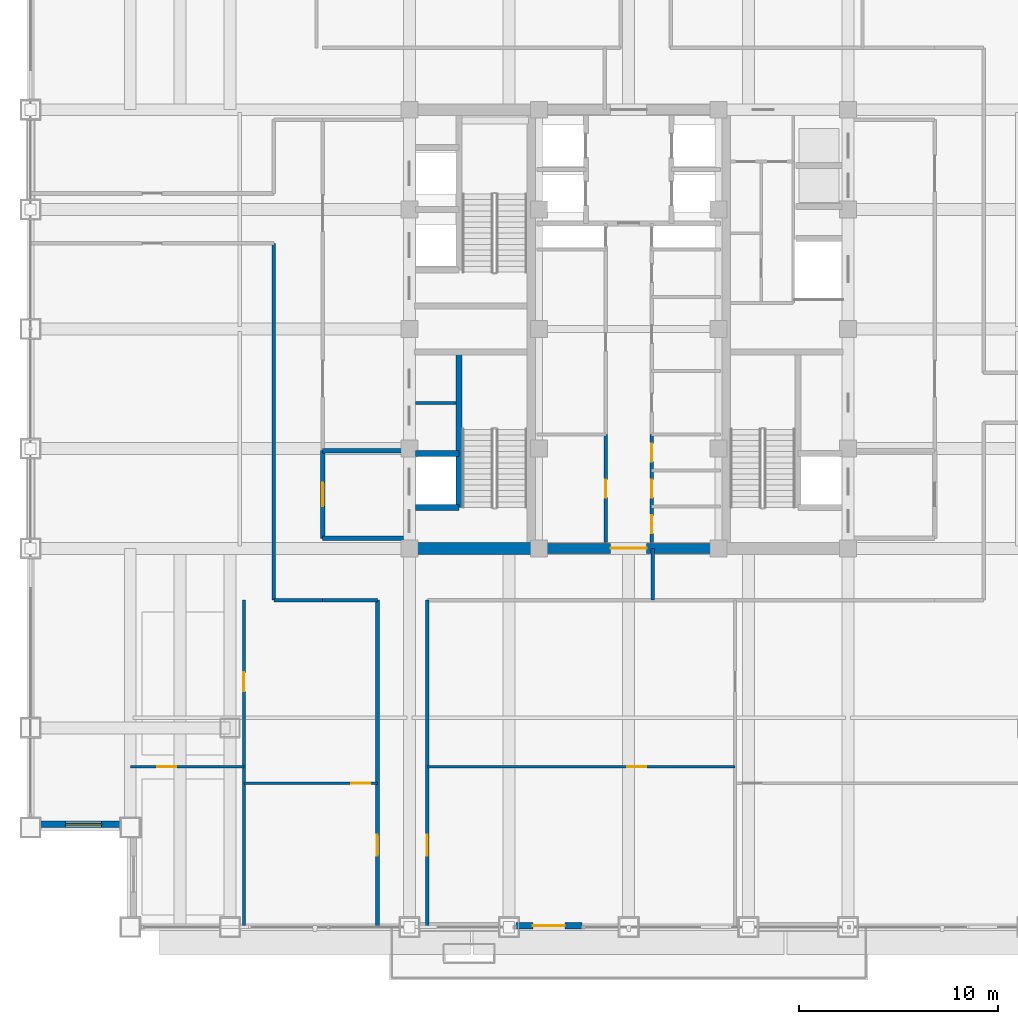
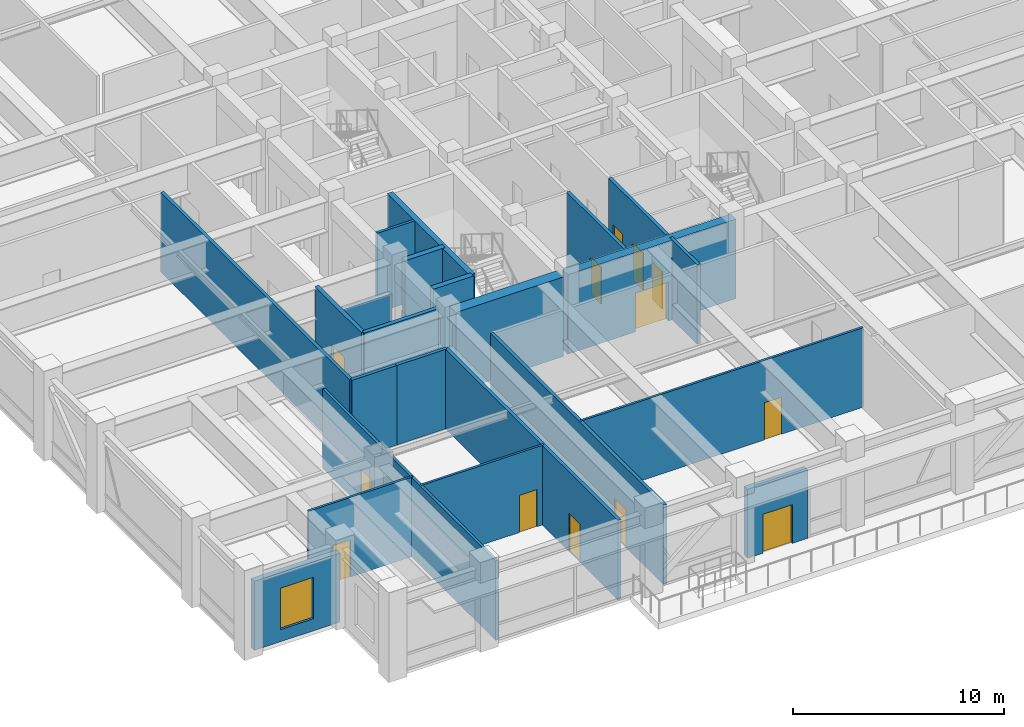
# One storey, part 23 of 33: 23 walls, 13 doors, 1 window, 14 openings.
"""IFC4 building model written with IfcOpenShell, lengths in metres."""

from ifc_helpers import new_model, si_unit, direction, frame, frame_2d, origin, place, context, subcontext, project, spatial, rectangle, extrude, source, transform, mapped, material, layer, layer_set, type_object, element, fill, save


model = new_model("IFC4")

# Units and contexts
model_context = context("Model", 3, precision=1e-05, world=origin(), true_north=direction((0.0, 1.0)))
body_context = subcontext(model_context, "Body", "Model", "MODEL_VIEW")
ifc_project = project(units=[si_unit("LENGTHUNIT", "METRE"), si_unit("AREAUNIT", "SQUARE_METRE"), si_unit("VOLUMEUNIT", "CUBIC_METRE"), si_unit("PLANEANGLEUNIT", "RADIAN"), si_unit("MASSUNIT", "GRAM", prefix="KILO")], contexts=[model_context])

# Site, building, storey
site_placement = place(None, origin())
site = spatial("IfcSite", under=ifc_project, at=site_placement, CompositionType="ELEMENT")
building_placement = place(site_placement, origin())
building = spatial("IfcBuilding", under=site, at=building_placement, Name="Khorayat Bourse Tower", CompositionType="ELEMENT")
storey_placement = place(building_placement, frame((0.0, 0.0, 263.10009765625)))
storey = spatial("IfcBuildingStorey", under=building, at=storey_placement, Name="L62", CompositionType="ELEMENT", Elevation=263.10009765625)

# Wall
ifc_material_1 = material(Name="Concrete C60/75", Category="concrete")
ifc_layer_1 = layer(ifc_material_1, 0.60009765625)
ifc_layer_set_1 = layer_set([ifc_layer_1], Name="Concrete C60/75")
wall_type_1 = type_object("IfcWallType", Name="WAL-CORE-600", PredefinedType="SHEAR", material=ifc_layer_set_1)
shared_shape_1 = source(origin(), body_context, "Body", "SweptSolid", [
    extrude(rectangle(XDim=5.89990234375, YDim=0.60009765625, at=frame_2d((2.949951171875, 0.0))), origin(), (0.0, 0.0, 1.0), 4.599853515625),
])
wall_1_placement = place(storey_placement, frame((-10.75, -11.0, 0.0), z_axis=(0.0, 0.0, 1.0), x_axis=(1.0, 0.0, 0.0)))
element("IfcWall", 1, at=wall_1_placement, inside=storey, type_object=wall_type_1, Name="L62 Core Shear Wall PIER-WS", PredefinedType="SHEAR", context=body_context, shape_type="MappedRepresentation", body=[
    mapped(shared_shape_1, transform((0.0, 0.0, 0.0), scale=1.0)),
])

# Wall, opening, door
ifc_material_2 = material(Name="Concrete C52/65", Category="concrete")
ifc_layer_2 = layer(ifc_material_2, 0.5)
ifc_layer_set_2 = layer_set([ifc_layer_2], Name="Concrete C52/65")
wall_type_2 = type_object("IfcWallType", Name="WAL-CORE-500", PredefinedType="SHEAR", material=ifc_layer_set_2)
shared_shape_2 = source(origin(), body_context, "Body", "SweptSolid", [
    extrude(rectangle(XDim=9.2001953125, YDim=0.5, at=frame_2d((4.60009765625, 0.0))), origin(), (0.0, 0.0, 1.0), 4.599853515625),
])
wall_2_placement = place(storey_placement, frame((-4.60009765625, -11.0, 0.0), z_axis=(0.0, 0.0, 1.0), x_axis=(1.0, 0.0, 0.0)))
wall_2 = element("IfcWall", 2, at=wall_2_placement, inside=storey, type_object=wall_type_2, Name="L62 Core Shear Wall CORE-S", PredefinedType="SHEAR", context=body_context, shape_type="MappedRepresentation", body=[
    mapped(shared_shape_2, transform((0.0, 0.0, 0.0), scale=1.0)),
])
shared_shape_3 = source(origin(), body_context, "Body", "SweptSolid", [
    extrude(rectangle(XDim=1.800048828125, YDim=2.25, at=frame_2d((0.89990234375, 1.125))), frame((0.0, 0.260009765625, 0.0), z_axis=(0.0, -1.0, 0.0), x_axis=(1.0, 0.0, 0.0)), (0.0, 0.0, 1.0), 0.52001953125),
])
opening_1_placement = place(wall_2_placement, frame((3.699951171875, 0.0, 0.0)))
opening_1 = element("IfcOpeningElement", 3, at=opening_1_placement, cuts=wall_2, Name="Opening DI-03", PredefinedType="OPENING", context=body_context, shape_type="MappedRepresentation", body=[
    mapped(shared_shape_3, transform((0.0, 0.0, 0.0), scale=1.0)),
])
ifc_material_3 = material(Name="Fire-rated hardwood vision-panel double leaf", Category="wood")
door_type_1 = type_object("IfcDoorType", Name="DR-INT-CORR-1800", OperationType="NOTDEFINED", PredefinedType="DOOR", material=ifc_material_3)
shared_shape_4 = source(origin(), body_context, "Body", "SweptSolid", [
    extrude(rectangle(XDim=1.800048828125, YDim=2.25, at=frame_2d((0.89990234375, 1.125))), frame((0.0, 0.02490234375, 0.0), z_axis=(0.0, -1.0, 0.0), x_axis=(1.0, 0.0, 0.0)), (0.0, 0.0, 1.0), 0.050048828125),
])
door_1_placement = place(opening_1_placement, origin())
door_1 = element("IfcDoor", 4, at=door_1_placement, inside=storey, type_object=door_type_1, Name="L62 Central Core South Passage Door", OperationType="SINGLE_SWING_LEFT", OverallHeight=2.25, OverallWidth=1.800048828125, PredefinedType="DOOR", context=body_context, shape_type="MappedRepresentation", body=[
    mapped(shared_shape_4, transform((0.0, 0.0, 0.0), scale=1.0)),
])
fill(opening_1, door_1)

# Wall, opening, window
ifc_material_4 = material(Name="Precast concrete C45/55", Category="concrete")
ifc_layer_3 = layer(ifc_material_4, 0.320068359375)
ifc_layer_set_3 = layer_set([ifc_layer_3], Name="Precast concrete C45/55")
wall_type_3 = type_object("IfcWallType", Name="WAL-EXT-STONE-320", PredefinedType="STANDARD", material=ifc_layer_set_3)
shared_shape_5 = source(origin(), body_context, "Body", "SweptSolid", [
    extrude(rectangle(XDim=4.679931640625, YDim=0.320068359375, at=frame_2d((2.33984375, 0.0))), origin(), (0.0, 0.0, 1.0), 3.98388671875),
])
wall_3_placement = place(storey_placement, frame((-25.0, -24.840087890625, 0.0), z_axis=(0.0, 0.0, 1.0), x_axis=(-1.0, 0.0, 0.0)))
wall_3 = element("IfcWall", 5, at=wall_3_placement, inside=storey, type_object=wall_type_3, Name="L62 Re-Entrant Notch Limestone Wall SW-H", PredefinedType="STANDARD", context=body_context, shape_type="MappedRepresentation", body=[
    mapped(shared_shape_5, transform((0.0, 0.0, 0.0), scale=1.0)),
])
shared_shape_6 = source(origin(), body_context, "Body", "SweptSolid", [
    extrude(rectangle(XDim=1.800048828125, YDim=2.39990234375, at=frame_2d((0.89990234375, 1.199951171875))), frame((0.0, 0.169921875, 0.0), z_axis=(0.0, -1.0, 0.0), x_axis=(1.0, 0.0, 0.0)), (0.0, 0.0, 1.0), 0.340087890625),
])
opening_2_placement = place(wall_3_placement, frame((1.43994140625, 0.0, 0.699951171875)))
opening_2 = element("IfcOpeningElement", 6, at=opening_2_placement, cuts=wall_3, Name="Opening WN-04", PredefinedType="OPENING", context=body_context, shape_type="MappedRepresentation", body=[
    mapped(shared_shape_6, transform((0.0, 0.0, 0.0), scale=1.0)),
])
ifc_material_5 = material(Name="Low-E acoustic laminated double glazing", Category="glass")
window_type = type_object("IfcWindowType", Name="WIN-NOTCH-1800x2400", PartitioningType="SINGLE_PANEL", PredefinedType="WINDOW", material=ifc_material_5)
shared_shape_7 = source(origin(), body_context, "Body", "SweptSolid", [
    extrude(rectangle(XDim=1.800048828125, YDim=2.39990234375, at=frame_2d((0.89990234375, 1.199951171875))), frame((0.0, 0.030029296875, 0.0), z_axis=(0.0, -1.0, 0.0), x_axis=(1.0, 0.0, 0.0)), (0.0, 0.0, 1.0), 0.06005859375),
])
window_placement = place(opening_2_placement, origin())
window = element("IfcWindow", 7, at=window_placement, inside=storey, type_object=window_type, Name="L62 Facade Window 1", OverallHeight=2.39990234375, OverallWidth=1.800048828125, PartitioningType="SINGLE_PANEL", PredefinedType="WINDOW", context=body_context, shape_type="MappedRepresentation", body=[
    mapped(shared_shape_7, transform((0.0, 0.0, 0.0), scale=1.0)),
])
fill(opening_2, window)

# Wall, opening, door
shared_shape_8 = source(origin(), body_context, "Body", "SweptSolid", [
    extrude(rectangle(XDim=3.2998046875, YDim=0.320068359375, at=frame_2d((1.64990234375, 0.0))), origin(), (0.0, 0.0, 1.0), 3.98388671875),
])
wall_4_placement = place(storey_placement, frame((-5.64990234375, -29.93310546875, 0.0), z_axis=(0.0, 0.0, 1.0), x_axis=(1.0, 0.0, 0.0)))
wall_4 = element("IfcWall", 8, at=wall_4_placement, inside=storey, type_object=wall_type_3, Name="L62 Exterior Limestone Wall WAL-L62-TDPORT-S1", PredefinedType="STANDARD", context=body_context, shape_type="MappedRepresentation", body=[
    mapped(shared_shape_8, transform((0.0, 0.0, 0.0), scale=1.0)),
])
shared_shape_9 = source(origin(), body_context, "Body", "SweptSolid", [
    extrude(rectangle(XDim=1.60009765625, YDim=2.25, at=frame_2d((0.800048828125, 1.125))), frame((0.0, 0.169921875, 0.0), z_axis=(0.0, -1.0, 0.0), x_axis=(1.0, 0.0, 0.0)), (0.0, 0.0, 1.0), 0.340087890625),
])
opening_3_placement = place(wall_4_placement, frame((0.85009765625, 0.0, 0.0)))
opening_3 = element("IfcOpeningElement", 9, at=opening_3_placement, cuts=wall_4, Name="Opening DE-04", PredefinedType="OPENING", context=body_context, shape_type="MappedRepresentation", body=[
    mapped(shared_shape_9, transform((0.0, 0.0, 0.0), scale=1.0)),
])
ifc_material_6 = material(Name="Thermally broken aluminium terrace double door", Category="aluminium")
door_type_2 = type_object("IfcDoorType", Name="DR-EXT-TERR-1600", OperationType="NOTDEFINED", PredefinedType="DOOR", material=ifc_material_6)
shared_shape_10 = source(origin(), body_context, "Body", "SweptSolid", [
    extrude(rectangle(XDim=1.60009765625, YDim=2.25, at=frame_2d((0.800048828125, 1.125))), frame((0.0, 0.02490234375, 0.0), z_axis=(0.0, -1.0, 0.0), x_axis=(1.0, 0.0, 0.0)), (0.0, 0.0, 1.0), 0.050048828125),
])
door_2_placement = place(opening_3_placement, origin())
door_2 = element("IfcDoor", 10, at=door_2_placement, inside=storey, type_object=door_type_2, Name="L62 South Sky Garden Door", OperationType="DOUBLE_DOOR_SINGLE_SWING", OverallHeight=2.25, OverallWidth=1.60009765625, PredefinedType="DOOR", context=body_context, shape_type="MappedRepresentation", body=[
    mapped(shared_shape_10, transform((0.0, 0.0, 0.0), scale=1.0)),
])
fill(opening_3, door_2)

# Walls
ifc_material_7 = material(Name="Concrete C50/60", Category="concrete")
ifc_layer_4 = layer(ifc_material_7, 0.300048828125)
ifc_layer_set_4 = layer_set([ifc_layer_4], Name="Concrete C50/60")
wall_type_4 = type_object("IfcWallType", Name="WAL-SHAFT-300", PredefinedType="SHEAR", material=ifc_layer_set_4)
shared_shape_11 = source(origin(), body_context, "Body", "SweptSolid", [
    extrude(rectangle(XDim=7.800048828125, YDim=0.300048828125, at=frame_2d((3.89990234375, 0.0))), origin(), (0.0, 0.0, 1.0), 4.599853515625),
])
wall_5_placement = place(storey_placement, frame((-8.5, -8.949951171875, 0.0), z_axis=(0.0, 0.0, 1.0), x_axis=(0.0, 1.0, 0.0)))
element("IfcWall", 11, at=wall_5_placement, inside=storey, type_object=wall_type_4, Name="L62 Partition WAL-L62-WPIER-SP", PredefinedType="SHEAR", context=body_context, shape_type="MappedRepresentation", body=[
    mapped(shared_shape_11, transform((0.0, 0.0, 0.0), scale=1.0)),
])
shared_shape_12 = source(origin(), body_context, "Body", "SweptSolid", [
    extrude(rectangle(XDim=2.199951171875, YDim=0.300048828125, at=frame_2d((1.10009765625, 0.0))), origin(), (0.0, 0.0, 1.0), 4.599853515625),
])
for number, where, z_axis, x_axis, name in (
    (12, (-10.699951171875, -8.949951171875, 0.0), (0.0, 0.0, 1.0), (1.0, 0.0, 0.0), "L62 Partition WAL-L62-WPIER-FF1S"),
    (13, (-10.699951171875, -6.25, 0.0), (0.0, 0.0, 1.0), (1.0, 0.0, 0.0), "L62 Partition WAL-L62-WPIER-FF1N"),
):
    element("IfcWall", number, at=place(storey_placement, frame(where, z_axis=z_axis, x_axis=x_axis)), inside=storey, type_object=wall_type_4, Name=name, PredefinedType="SHEAR", context=body_context, shape_type="MappedRepresentation", body=[
        mapped(shared_shape_12, transform((0.0, 0.0, 0.0), scale=1.0)),
    ])
ifc_material_8 = material(Name="Gypsum plasterboard twin-frame partition")
ifc_layer_5 = layer(ifc_material_8, 0.14990234375)
ifc_layer_set_5 = layer_set([ifc_layer_5], Name="Gypsum plasterboard twin-frame partition")
wall_type_5 = type_object("IfcWallType", Name="WAL-PART-SUITE-150", PredefinedType="PARTITIONING", material=ifc_layer_set_5)
shared_shape_13 = source(origin(), body_context, "Body", "SweptSolid", [
    extrude(rectangle(XDim=2.050048828125, YDim=0.14990234375, at=frame_2d((1.02490234375, 0.0))), origin(), (0.0, 0.0, 1.0), 4.599853515625),
])
wall_6_placement = place(storey_placement, frame((-10.699951171875, -3.699951171875, 0.0), z_axis=(0.0, 0.0, 1.0), x_axis=(1.0, 0.0, 0.0)))
element("IfcWall", 14, at=wall_6_placement, inside=storey, type_object=wall_type_5, Name="L62 Partition WAL-L62-WSRV-D1", PredefinedType="PARTITIONING", context=body_context, shape_type="MappedRepresentation", body=[
    mapped(shared_shape_13, transform((0.0, 0.0, 0.0), scale=1.0)),
])
ifc_material_9 = material(Name="Aerated concrete blockwork", Category="masonry")
ifc_layer_6 = layer(ifc_material_9, 0.219970703125)
ifc_layer_set_6 = layer_set([ifc_layer_6], Name="Aerated concrete blockwork")
wall_type_6 = type_object("IfcWallType", Name="WAL-PART-FF-220", PredefinedType="PARTITIONING", material=ifc_layer_set_6)
shared_shape_14 = source(origin(), body_context, "Body", "SweptSolid", [
    extrude(rectangle(XDim=4.050048828125, YDim=0.219970703125, at=frame_2d((2.02490234375, 0.0))), origin(), (0.0, 0.0, 1.0), 4.599853515625),
])
wall_7_placement = place(storey_placement, frame((-15.35009765625, -10.5, 0.0), z_axis=(0.0, 0.0, 1.0), x_axis=(1.0, 0.0, 0.0)))
element("IfcWall", 15, at=wall_7_placement, inside=storey, type_object=wall_type_6, Name="L62 Partition WAL-L62-FFLW-S", PredefinedType="PARTITIONING", context=body_context, shape_type="MappedRepresentation", body=[
    mapped(shared_shape_14, transform((0.0, 0.0, 0.0), scale=1.0)),
])
shared_shape_15 = source(origin(), body_context, "Body", "SweptSolid", [
    extrude(rectangle(XDim=4.050048828125, YDim=0.219970703125, at=frame_2d((2.02490234375, 0.0))), origin(), (0.0, 0.0, 1.0), 2.7998046875),
])
wall_8_placement = place(storey_placement, frame((-15.35009765625, -6.10009765625, 0.0), z_axis=(0.0, 0.0, 1.0), x_axis=(1.0, 0.0, 0.0)))
element("IfcWall", 16, at=wall_8_placement, inside=storey, type_object=wall_type_6, Name="L62 Partition WAL-L62-FFLW-N", PredefinedType="PARTITIONING", context=body_context, shape_type="MappedRepresentation", body=[
    mapped(shared_shape_15, transform((0.0, 0.0, 0.0), scale=1.0)),
])

# Wall, opening, door
shared_shape_16 = source(origin(), body_context, "Body", "SweptSolid", [
    extrude(rectangle(XDim=4.39990234375, YDim=0.219970703125, at=frame_2d((2.199951171875, 0.0))), origin(), (0.0, 0.0, 1.0), 4.599853515625),
])
wall_9_placement = place(storey_placement, frame((-15.35009765625, -10.5, 0.0), z_axis=(0.0, 0.0, 1.0), x_axis=(0.0, 1.0, 0.0)))
wall_9 = element("IfcWall", 17, at=wall_9_placement, inside=storey, type_object=wall_type_6, Name="L62 Partition WAL-L62-FFLW-W", PredefinedType="PARTITIONING", context=body_context, shape_type="MappedRepresentation", body=[
    mapped(shared_shape_16, transform((0.0, 0.0, 0.0), scale=1.0)),
])
shared_shape_17 = source(origin(), body_context, "Body", "SweptSolid", [
    extrude(rectangle(XDim=1.199951171875, YDim=2.199951171875, at=frame_2d((0.60009765625, 1.10009765625))), frame((0.0, 0.119873046875, 0.0), z_axis=(0.0, -1.0, 0.0), x_axis=(1.0, 0.0, 0.0)), (0.0, 0.0, 1.0), 0.239990234375),
])
opening_4_placement = place(wall_9_placement, frame((1.60009765625, 0.0, 0.0)))
opening_4 = element("IfcOpeningElement", 18, at=opening_4_placement, cuts=wall_9, Name="Opening DI-02", PredefinedType="OPENING", context=body_context, shape_type="MappedRepresentation", body=[
    mapped(shared_shape_17, transform((0.0, 0.0, 0.0), scale=1.0)),
])
ifc_material_10 = material(Name="Fire-rated steel double-seal leaf", Category="steel")
door_type_3 = type_object("IfcDoorType", Name="DR-INT-FFLOBBY-1200", OperationType="NOTDEFINED", PredefinedType="DOOR", material=ifc_material_10)
shared_shape_18 = source(origin(), body_context, "Body", "SweptSolid", [
    extrude(rectangle(XDim=1.199951171875, YDim=2.199951171875, at=frame_2d((0.60009765625, 1.10009765625))), frame((0.0, 0.02490234375, 0.0), z_axis=(0.0, -1.0, 0.0), x_axis=(1.0, 0.0, 0.0)), (0.0, 0.0, 1.0), 0.050048828125),
])
door_3_placement = place(opening_4_placement, origin())
door_3 = element("IfcDoor", 19, at=door_3_placement, inside=storey, type_object=door_type_3, Name="L62 West Firefighting Lobby Door", OperationType="SINGLE_SWING_LEFT", OverallHeight=2.199951171875, OverallWidth=1.199951171875, PredefinedType="DOOR", context=body_context, shape_type="MappedRepresentation", body=[
    mapped(shared_shape_18, transform((0.0, 0.0, 0.0), scale=1.0)),
])
fill(opening_4, door_3)

ifc_material_11 = material(Name="Gypsum plasterboard acoustic stud wall")
ifc_layer_7 = layer(ifc_material_11, 0.179931640625)
ifc_layer_set_7 = layer_set([ifc_layer_7], Name="Gypsum plasterboard acoustic stud wall")
wall_type_7 = type_object("IfcWallType", Name="WAL-PART-CORR-180", PredefinedType="PARTITIONING", material=ifc_layer_set_7)
shared_shape_19 = source(origin(), body_context, "Body", "SweptSolid", [
    extrude(rectangle(XDim=5.39990234375, YDim=0.179931640625, at=frame_2d((2.699951171875, 0.0))), origin(), (0.0, 0.0, 1.0), 4.599853515625),
])
wall_10_placement = place(storey_placement, frame((-1.14990234375, -10.699951171875, 0.0), z_axis=(0.0, 0.0, 1.0), x_axis=(0.0, 1.0, 0.0)))
wall_10 = element("IfcWall", 20, at=wall_10_placement, inside=storey, type_object=wall_type_7, Name="L62 Partition WAL-L62-FB1W-L", PredefinedType="PARTITIONING", context=body_context, shape_type="MappedRepresentation", body=[
    mapped(shared_shape_19, transform((0.0, 0.0, 0.0), scale=1.0)),
])
shared_shape_20 = source(origin(), body_context, "Body", "SweptSolid", [
    extrude(rectangle(XDim=0.89990234375, YDim=2.14990234375, at=frame_2d((0.449951171875, 1.074951171875))), frame((0.0, 0.099853515625, 0.0), z_axis=(0.0, -1.0, 0.0), x_axis=(1.0, 0.0, 0.0)), (0.0, 0.0, 1.0), 0.199951171875),
])
opening_5_placement = place(wall_10_placement, frame((2.25, 0.0, 0.0)))
opening_5 = element("IfcOpeningElement", 21, at=opening_5_placement, cuts=wall_10, Name="Opening DI-06", PredefinedType="OPENING", context=body_context, shape_type="MappedRepresentation", body=[
    mapped(shared_shape_20, transform((0.0, 0.0, 0.0), scale=1.0)),
])
ifc_material_12 = material(Name="Moisture-resistant laminate washroom door")
door_type_4 = type_object("IfcDoorType", Name="DR-INT-WC-900", OperationType="NOTDEFINED", PredefinedType="DOOR", material=ifc_material_12)
shared_shape_21 = source(origin(), body_context, "Body", "SweptSolid", [
    extrude(rectangle(XDim=0.89990234375, YDim=2.14990234375, at=frame_2d((0.449951171875, 1.074951171875))), frame((0.0, 0.02490234375, 0.0), z_axis=(0.0, -1.0, 0.0), x_axis=(1.0, 0.0, 0.0)), (0.0, 0.0, 1.0), 0.050048828125),
])
door_4_placement = place(opening_5_placement, origin())
door_4 = element("IfcDoor", 22, at=door_4_placement, inside=storey, type_object=door_type_4, Name="L62 IT Comms Server Plant Room Door", OperationType="SINGLE_SWING_RIGHT", OverallHeight=2.14990234375, OverallWidth=0.89990234375, PredefinedType="DOOR", context=body_context, shape_type="MappedRepresentation", body=[
    mapped(shared_shape_21, transform((0.0, 0.0, 0.0), scale=1.0)),
])
fill(opening_5, door_4)

# Wall, openings, doors
wall_11_placement = place(storey_placement, frame((1.14990234375, -10.699951171875, 0.0), z_axis=(0.0, 0.0, 1.0), x_axis=(0.0, 1.0, 0.0)))
wall_11 = element("IfcWall", 23, at=wall_11_placement, inside=storey, type_object=wall_type_7, Name="L62 Partition WAL-L62-FB1E-L", PredefinedType="PARTITIONING", context=body_context, shape_type="MappedRepresentation", body=[
    mapped(shared_shape_19, transform((0.0, 0.0, 0.0), scale=1.0)),
])
opening_6_placement = place(wall_11_placement, frame((0.449951171875, 0.0, 0.0)))
opening_6 = element("IfcOpeningElement", 24, at=opening_6_placement, cuts=wall_11, Name="Opening DI-06", PredefinedType="OPENING", context=body_context, shape_type="MappedRepresentation", body=[
    mapped(shared_shape_20, transform((0.0, 0.0, 0.0), scale=1.0)),
])
opening_7_placement = place(wall_11_placement, frame((2.25, 0.0, 0.0)))
opening_7 = element("IfcOpeningElement", 25, at=opening_7_placement, cuts=wall_11, Name="Opening DI-06", PredefinedType="OPENING", context=body_context, shape_type="MappedRepresentation", body=[
    mapped(shared_shape_20, transform((0.0, 0.0, 0.0), scale=1.0)),
])
opening_8_placement = place(wall_11_placement, frame((4.050048828125, 0.0, 0.0)))
opening_8 = element("IfcOpeningElement", 26, at=opening_8_placement, cuts=wall_11, Name="Opening DI-06", PredefinedType="OPENING", context=body_context, shape_type="MappedRepresentation", body=[
    mapped(shared_shape_20, transform((0.0, 0.0, 0.0), scale=1.0)),
])
door_5_placement = place(opening_6_placement, origin())
door_5 = element("IfcDoor", 27, at=door_5_placement, inside=storey, type_object=door_type_4, Name="L62 Stationery Store Door", OperationType="SINGLE_SWING_RIGHT", OverallHeight=2.14990234375, OverallWidth=0.89990234375, PredefinedType="DOOR", context=body_context, shape_type="MappedRepresentation", body=[
    mapped(shared_shape_21, transform((0.0, 0.0, 0.0), scale=1.0)),
])
fill(opening_6, door_5)
door_6_placement = place(opening_7_placement, origin())
door_6 = element("IfcDoor", 28, at=door_6_placement, inside=storey, type_object=door_type_4, Name="L62 Meter Closet Door", OperationType="SINGLE_SWING_LEFT", OverallHeight=2.14990234375, OverallWidth=0.89990234375, PredefinedType="DOOR", context=body_context, shape_type="MappedRepresentation", body=[
    mapped(shared_shape_21, transform((0.0, 0.0, 0.0), scale=1.0)),
])
fill(opening_7, door_6)
door_7_placement = place(opening_8_placement, origin())
door_7 = element("IfcDoor", 29, at=door_7_placement, inside=storey, type_object=door_type_4, Name="L62 Print Room Door", OperationType="SINGLE_SWING_RIGHT", OverallHeight=2.14990234375, OverallWidth=0.89990234375, PredefinedType="DOOR", context=body_context, shape_type="MappedRepresentation", body=[
    mapped(shared_shape_21, transform((0.0, 0.0, 0.0), scale=1.0)),
])
fill(opening_8, door_7)

# Walls
shared_shape_22 = source(origin(), body_context, "Body", "SweptSolid", [
    extrude(rectangle(XDim=2.449951171875, YDim=0.179931640625, at=frame_2d((1.22509765625, 0.0))), origin(), (0.0, 0.0, 1.0), 4.599853515625),
])
wall_12_placement = place(storey_placement, frame((-17.800048828125, -13.60009765625, 0.0), z_axis=(0.0, 0.0, 1.0), x_axis=(1.0, 0.0, 0.0)))
element("IfcWall", 30, at=wall_12_placement, inside=storey, type_object=wall_type_7, Name="L62 Partition WAL-L62-C2-WS", PredefinedType="PARTITIONING", context=body_context, shape_type="MappedRepresentation", body=[
    mapped(shared_shape_22, transform((0.0, 0.0, 0.0), scale=1.0)),
])
shared_shape_23 = source(origin(), body_context, "Body", "SweptSolid", [
    extrude(rectangle(XDim=2.60009765625, YDim=0.179931640625, at=frame_2d((1.300048828125, 0.0))), origin(), (0.0, 0.0, 1.0), 4.599853515625),
])
wall_13_placement = place(storey_placement, frame((1.199951171875, -13.60009765625, 0.0), z_axis=(0.0, 0.0, 1.0), x_axis=(0.0, 1.0, 0.0)))
element("IfcWall", 31, at=wall_13_placement, inside=storey, type_object=wall_type_7, Name="L62 Partition WAL-L62-C2-SCE", PredefinedType="PARTITIONING", context=body_context, shape_type="MappedRepresentation", body=[
    mapped(shared_shape_23, transform((0.0, 0.0, 0.0), scale=1.0)),
])

# Wall, opening, door
ifc_material_13 = material(Name="Gypsum plasterboard partition")
ifc_layer_8 = layer(ifc_material_13, 0.125)
ifc_layer_set_8 = layer_set([ifc_layer_8], Name="Gypsum plasterboard partition")
wall_type_8 = type_object("IfcWallType", Name="WAL-PART-ROOM-125", PredefinedType="PARTITIONING", material=ifc_layer_set_8)
shared_shape_24 = source(origin(), body_context, "Body", "SweptSolid", [
    extrude(rectangle(XDim=5.7041015625, YDim=0.125, at=frame_2d((2.85205078125, 0.0))), origin(), (0.0, 0.0, 1.0), 4.599853515625),
])
wall_14_placement = place(storey_placement, frame((-25.0, -21.964111328125, 0.0), z_axis=(0.0, 0.0, 1.0), x_axis=(1.0, 0.0, 0.0)))
wall_14 = element("IfcWall", 32, at=wall_14_placement, inside=storey, type_object=wall_type_8, Name="L62 Partition WAL-L62-QSWDP-1", PredefinedType="PARTITIONING", context=body_context, shape_type="MappedRepresentation", body=[
    mapped(shared_shape_24, transform((0.0, 0.0, 0.0), scale=1.0)),
])
shared_shape_25 = source(origin(), body_context, "Body", "SweptSolid", [
    extrude(rectangle(XDim=0.949951171875, YDim=2.14990234375, at=frame_2d((0.47509765625, 1.074951171875))), frame((0.0, 0.072509765625, 0.0), z_axis=(0.0, -1.0, 0.0), x_axis=(1.0, 0.0, 0.0)), (0.0, 0.0, 1.0), 0.14501953125),
])
opening_9_placement = place(wall_14_placement, frame((1.350341796875, 0.0, 0.0)))
opening_9 = element("IfcOpeningElement", 33, at=opening_9_placement, cuts=wall_14, Name="Opening DI-05", PredefinedType="OPENING", context=body_context, shape_type="MappedRepresentation", body=[
    mapped(shared_shape_25, transform((0.0, 0.0, 0.0), scale=1.0)),
])
ifc_material_14 = material(Name="Acoustic oak veneer office door")
door_type_5 = type_object("IfcDoorType", Name="DR-INT-OFFICE-950", OperationType="NOTDEFINED", PredefinedType="DOOR", material=ifc_material_14)
shared_shape_26 = source(origin(), body_context, "Body", "SweptSolid", [
    extrude(rectangle(XDim=0.949951171875, YDim=2.14990234375, at=frame_2d((0.47509765625, 1.074951171875))), frame((0.0, 0.02490234375, 0.0), z_axis=(0.0, -1.0, 0.0), x_axis=(1.0, 0.0, 0.0)), (0.0, 0.0, 1.0), 0.050048828125),
])
door_8_placement = place(opening_9_placement, origin())
door_8 = element("IfcDoor", 34, at=door_8_placement, inside=storey, type_object=door_type_5, Name="L62 South-West Issuer Listing Showroom 1B Door", OperationType="SINGLE_SWING_RIGHT", OverallHeight=2.14990234375, OverallWidth=0.949951171875, PredefinedType="DOOR", context=body_context, shape_type="MappedRepresentation", body=[
    mapped(shared_shape_26, transform((0.0, 0.0, 0.0), scale=1.0)),
])
fill(opening_9, door_8)

shared_shape_27 = source(origin(), body_context, "Body", "SweptSolid", [
    extrude(rectangle(XDim=16.39990234375, YDim=0.14990234375, at=frame_2d((8.199951171875, 0.0))), origin(), (0.0, 0.0, 1.0), 4.599853515625),
])
wall_15_placement = place(storey_placement, frame((-19.2958984375, -30.0, 0.0), z_axis=(0.0, 0.0, 1.0), x_axis=(0.0, 1.0, 0.0)))
wall_15 = element("IfcWall", 35, at=wall_15_placement, inside=storey, type_object=wall_type_5, Name="L62 Partition WAL-L62-QSWDV-1", PredefinedType="PARTITIONING", context=body_context, shape_type="MappedRepresentation", body=[
    mapped(shared_shape_27, transform((0.0, 0.0, 0.0), scale=1.0)),
])
shared_shape_28 = source(origin(), body_context, "Body", "SweptSolid", [
    extrude(rectangle(XDim=0.949951171875, YDim=2.14990234375, at=frame_2d((0.47509765625, 1.074951171875))), frame((0.0, 0.0849609375, 0.0), z_axis=(0.0, -1.0, 0.0), x_axis=(1.0, 0.0, 0.0)), (0.0, 0.0, 1.0), 0.169921875),
])
opening_10_placement = place(wall_15_placement, frame((11.824951171875, 0.0, 0.0)))
opening_10 = element("IfcOpeningElement", 36, at=opening_10_placement, cuts=wall_15, Name="Opening DI-05", PredefinedType="OPENING", context=body_context, shape_type="MappedRepresentation", body=[
    mapped(shared_shape_28, transform((0.0, 0.0, 0.0), scale=1.0)),
])
door_9_placement = place(opening_10_placement, origin())
door_9 = element("IfcDoor", 37, at=door_9_placement, inside=storey, type_object=door_type_5, Name="L62 South-West Suite Link 1", OperationType="SINGLE_SWING_RIGHT", OverallHeight=2.14990234375, OverallWidth=0.949951171875, PredefinedType="DOOR", context=body_context, shape_type="MappedRepresentation", body=[
    mapped(shared_shape_26, transform((0.0, 0.0, 0.0), scale=1.0)),
])
fill(opening_10, door_9)

shared_shape_29 = source(origin(), body_context, "Body", "SweptSolid", [
    extrude(rectangle(XDim=6.69580078125, YDim=0.125, at=frame_2d((3.347900390625, 0.0))), origin(), (0.0, 0.0, 1.0), 4.599853515625),
])
wall_16_placement = place(storey_placement, frame((-19.2958984375, -22.783935546875, 0.0), z_axis=(0.0, 0.0, 1.0), x_axis=(1.0, 0.0, 0.0)))
wall_16 = element("IfcWall", 38, at=wall_16_placement, inside=storey, type_object=wall_type_8, Name="L62 Partition WAL-L62-QSWDP-2", PredefinedType="PARTITIONING", context=body_context, shape_type="MappedRepresentation", body=[
    mapped(shared_shape_29, transform((0.0, 0.0, 0.0), scale=1.0)),
])
opening_11_placement = place(wall_16_placement, frame((5.37109375, 0.0, 0.0)))
opening_11 = element("IfcOpeningElement", 39, at=opening_11_placement, cuts=wall_16, Name="Opening DI-05", PredefinedType="OPENING", context=body_context, shape_type="MappedRepresentation", body=[
    mapped(shared_shape_25, transform((0.0, 0.0, 0.0), scale=1.0)),
])
door_10_placement = place(opening_11_placement, origin())
door_10 = element("IfcDoor", 40, at=door_10_placement, inside=storey, type_object=door_type_5, Name="L62 South-West Members Dining Room 2B Door", OperationType="SINGLE_SWING_LEFT", OverallHeight=2.14990234375, OverallWidth=0.949951171875, PredefinedType="DOOR", context=body_context, shape_type="MappedRepresentation", body=[
    mapped(shared_shape_26, transform((0.0, 0.0, 0.0), scale=1.0)),
])
fill(opening_11, door_10)

shared_shape_30 = source(origin(), body_context, "Body", "SweptSolid", [
    extrude(rectangle(XDim=16.39990234375, YDim=0.179931640625, at=frame_2d((8.199951171875, 0.0))), origin(), (0.0, 0.0, 1.0), 4.599853515625),
])
wall_17_placement = place(storey_placement, frame((-12.60009765625, -30.0, 0.0), z_axis=(0.0, 0.0, 1.0), x_axis=(0.0, 1.0, 0.0)))
wall_17 = element("IfcWall", 41, at=wall_17_placement, inside=storey, type_object=wall_type_7, Name="L62 Partition WAL-L62-QSW-SPK", PredefinedType="PARTITIONING", context=body_context, shape_type="MappedRepresentation", body=[
    mapped(shared_shape_30, transform((0.0, 0.0, 0.0), scale=1.0)),
])
shared_shape_31 = source(origin(), body_context, "Body", "SweptSolid", [
    extrude(rectangle(XDim=1.050048828125, YDim=2.199951171875, at=frame_2d((0.52490234375, 1.10009765625))), frame((0.0, 0.099853515625, 0.0), z_axis=(0.0, -1.0, 0.0), x_axis=(1.0, 0.0, 0.0)), (0.0, 0.0, 1.0), 0.199951171875),
])
opening_12_placement = place(wall_17_placement, frame((3.574951171875, 0.0, 0.0)))
opening_12 = element("IfcOpeningElement", 42, at=opening_12_placement, cuts=wall_17, Name="Opening DI-04", PredefinedType="OPENING", context=body_context, shape_type="MappedRepresentation", body=[
    mapped(shared_shape_31, transform((0.0, 0.0, 0.0), scale=1.0)),
])
ifc_material_15 = material(Name="Fire-rated oak veneer suite entrance door")
door_type_6 = type_object("IfcDoorType", Name="DR-INT-SUITE-1050", OperationType="NOTDEFINED", PredefinedType="DOOR", material=ifc_material_15)
shared_shape_32 = source(origin(), body_context, "Body", "SweptSolid", [
    extrude(rectangle(XDim=1.050048828125, YDim=2.199951171875, at=frame_2d((0.52490234375, 1.10009765625))), frame((0.0, 0.02490234375, 0.0), z_axis=(0.0, -1.0, 0.0), x_axis=(1.0, 0.0, 0.0)), (0.0, 0.0, 1.0), 0.050048828125),
])
door_11_placement = place(opening_12_placement, origin())
door_11 = element("IfcDoor", 43, at=door_11_placement, inside=storey, type_object=door_type_6, Name="L62 South-West Radial Spoke Entry", OperationType="SINGLE_SWING_LEFT", OverallHeight=2.199951171875, OverallWidth=1.050048828125, PredefinedType="DOOR", context=body_context, shape_type="MappedRepresentation", body=[
    mapped(shared_shape_32, transform((0.0, 0.0, 0.0), scale=1.0)),
])
fill(opening_12, door_11)

wall_18_placement = place(storey_placement, frame((-10.10009765625, -30.0, 0.0), z_axis=(0.0, 0.0, 1.0), x_axis=(0.0, 1.0, 0.0)))
wall_18 = element("IfcWall", 44, at=wall_18_placement, inside=storey, type_object=wall_type_7, Name="L62 Partition WAL-L62-QSE-SPK", PredefinedType="PARTITIONING", context=body_context, shape_type="MappedRepresentation", body=[
    mapped(shared_shape_30, transform((0.0, 0.0, 0.0), scale=1.0)),
])
opening_13_placement = place(wall_18_placement, frame((3.574951171875, 0.0, 0.0)))
opening_13 = element("IfcOpeningElement", 45, at=opening_13_placement, cuts=wall_18, Name="Opening DI-04", PredefinedType="OPENING", context=body_context, shape_type="MappedRepresentation", body=[
    mapped(shared_shape_31, transform((0.0, 0.0, 0.0), scale=1.0)),
])
door_12_placement = place(opening_13_placement, origin())
door_12 = element("IfcDoor", 46, at=door_12_placement, inside=storey, type_object=door_type_6, Name="L62 South-East Radial Spoke Entry", OperationType="SINGLE_SWING_LEFT", OverallHeight=2.199951171875, OverallWidth=1.050048828125, PredefinedType="DOOR", context=body_context, shape_type="MappedRepresentation", body=[
    mapped(shared_shape_32, transform((0.0, 0.0, 0.0), scale=1.0)),
])
fill(opening_13, door_12)

# Wall
shared_shape_33 = source(origin(), body_context, "Body", "SweptSolid", [
    extrude(rectangle(XDim=2.75, YDim=0.179931640625, at=frame_2d((1.375, 0.0))), origin(), (0.0, 0.0, 1.0), 4.599853515625),
])
wall_19_placement = place(storey_placement, frame((-15.35009765625, -13.60009765625, 0.0), z_axis=(0.0, 0.0, 1.0), x_axis=(1.0, 0.0, 0.0)))
element("IfcWall", 47, at=wall_19_placement, inside=storey, type_object=wall_type_7, Name="L62 Partition WAL-L62-QSW-HC", PredefinedType="PARTITIONING", context=body_context, shape_type="MappedRepresentation", body=[
    mapped(shared_shape_33, transform((0.0, 0.0, 0.0), scale=1.0)),
])

# Wall, opening, door
shared_shape_34 = source(origin(), body_context, "Body", "SweptSolid", [
    extrude(rectangle(XDim=15.444091796875, YDim=0.125, at=frame_2d((7.72216796875, 0.0))), origin(), (0.0, 0.0, 1.0), 4.599853515625),
])
wall_20_placement = place(storey_placement, frame((-10.10009765625, -21.964111328125, 0.0), z_axis=(0.0, 0.0, 1.0), x_axis=(1.0, 0.0, 0.0)))
wall_20 = element("IfcWall", 48, at=wall_20_placement, inside=storey, type_object=wall_type_8, Name="L62 Partition WAL-L62-QSEDP-1", PredefinedType="PARTITIONING", context=body_context, shape_type="MappedRepresentation", body=[
    mapped(shared_shape_34, transform((0.0, 0.0, 0.0), scale=1.0)),
])
opening_14_placement = place(wall_20_placement, frame((10.02685546875, 0.0, 0.0)))
opening_14 = element("IfcOpeningElement", 49, at=opening_14_placement, cuts=wall_20, Name="Opening DI-05", PredefinedType="OPENING", context=body_context, shape_type="MappedRepresentation", body=[
    mapped(shared_shape_25, transform((0.0, 0.0, 0.0), scale=1.0)),
])
door_13_placement = place(opening_14_placement, origin())
door_13 = element("IfcDoor", 50, at=door_13_placement, inside=storey, type_object=door_type_5, Name="L62 South-East Executive Wellness Fitness Gym 1B Door", OperationType="SINGLE_SWING_RIGHT", OverallHeight=2.14990234375, OverallWidth=0.949951171875, PredefinedType="DOOR", context=body_context, shape_type="MappedRepresentation", body=[
    mapped(shared_shape_26, transform((0.0, 0.0, 0.0), scale=1.0)),
])
fill(opening_14, door_13)

# Wall
shared_shape_35 = source(origin(), body_context, "Body", "SweptSolid", [
    extrude(rectangle(XDim=17.900146484375, YDim=0.179931640625, at=frame_2d((8.9501953125, 0.0))), origin(), (0.0, 0.0, 1.0), 4.599853515625),
])
wall_21_placement = place(storey_placement, frame((-17.800048828125, -13.60009765625, 0.0), z_axis=(0.0, 0.0, 1.0), x_axis=(0.0, 1.0, 0.0)))
element("IfcWall", 51, at=wall_21_placement, inside=storey, type_object=wall_type_7, Name="L62 Partition WAL-L62-WS-IN", PredefinedType="PARTITIONING", context=body_context, shape_type="MappedRepresentation", body=[
    mapped(shared_shape_35, transform((0.0, 0.0, 0.0), scale=1.0)),
])

save(model, "model.ifc")
